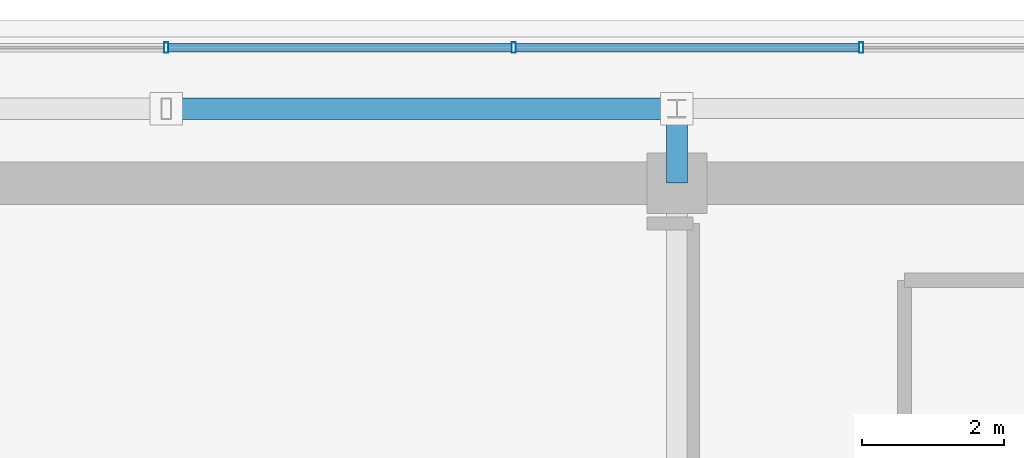
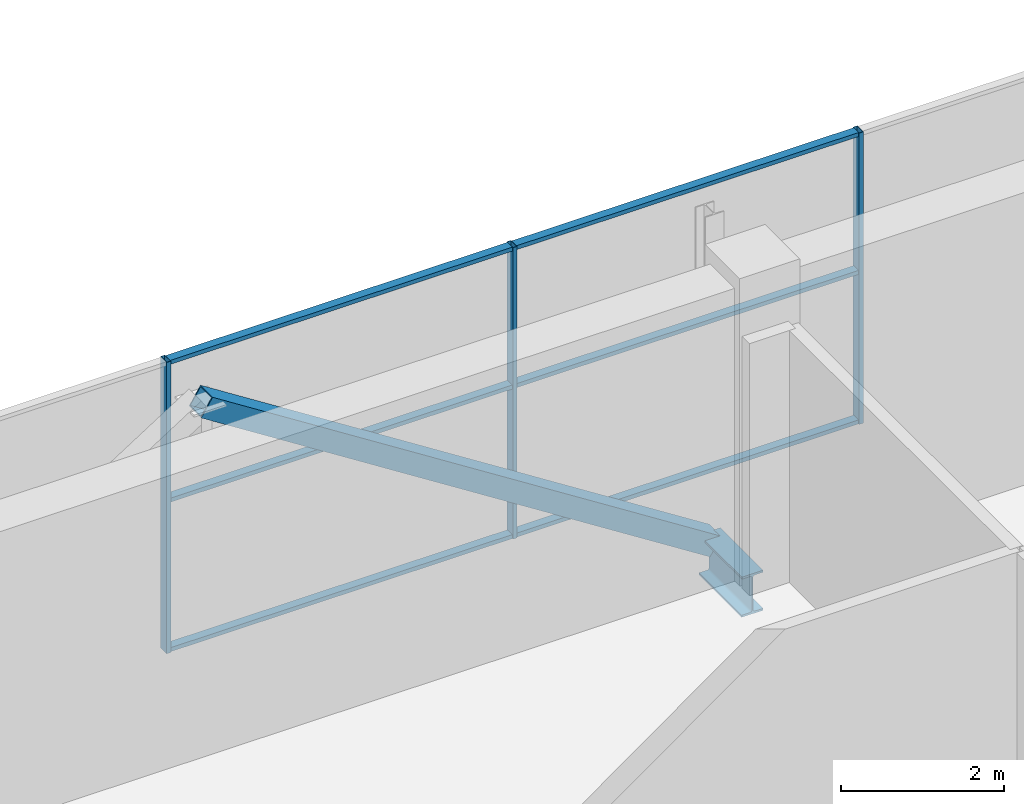
# One storey, part 17 of 27: 10 members, 1 beam, 1 element without a shape of its own.
"""IFC4 building model written with IfcOpenShell, lengths in metres."""

from ifc_helpers import new_model, si_unit, direction, frame, origin, origin_2d, place, context, subcontext, project, spatial, hollow_rectangle, i_section, extrude, source, transform, mapped, material, layer, layer_set, material_profile, profile_set, type_object, element, aggregate, save


model = new_model("IFC4")

# Units and contexts
model_context = context("Model", 3, precision=1e-05, world=origin(), true_north=direction((0.0, 1.0)))
body_context = subcontext(model_context, "Body", "Model", "MODEL_VIEW")
ifc_project = project(units=[si_unit("LENGTHUNIT", "METRE"), si_unit("AREAUNIT", "SQUARE_METRE"), si_unit("VOLUMEUNIT", "CUBIC_METRE"), si_unit("PLANEANGLEUNIT", "RADIAN"), si_unit("MASSUNIT", "GRAM", prefix="KILO")], contexts=[model_context])

# Site, building, storey
site_placement = place(None, origin())
site = spatial("IfcSite", under=ifc_project, at=site_placement, CompositionType="ELEMENT")
building_placement = place(site_placement, origin())
building = spatial("IfcBuilding", under=site, at=building_placement, Name="Zarnakvel Exchange Tower", CompositionType="ELEMENT")
storey_placement = place(building_placement, frame((0.0, 0.0, 294.60009765625)))
storey = spatial("IfcBuildingStorey", under=building, at=storey_placement, Name="Crown L82", CompositionType="ELEMENT", Elevation=294.60009765625)

# Beam
ifc_material_1 = material(Name="Steel S355", Category="steel")
ifc_material_profile_1 = material_profile(ifc_material_1, i_section(OverallWidth=0.300048828125, OverallDepth=0.60009765625, WebThickness=0.015380859375, FlangeThickness=0.030029296875, FilletRadius=0.027099609375, at=origin_2d()))
ifc_profile_set_1 = profile_set([ifc_material_profile_1], Name="Steel S355")
beam_type = type_object("IfcBeamType", Name="G-04", PredefinedType="BEAM", material=ifc_profile_set_1)
beam_placement = place(storey_placement, frame((7.199951171875, 13.5, -0.52001953125), z_axis=(0.0, 1.0, 0.0), x_axis=(-1.0, 0.0, 0.0)))
element("IfcBeam", 1, at=beam_placement, inside=storey, type_object=beam_type, Name="Crown L82 Tower N-S Frame Beam", PredefinedType="BEAM", context=body_context, shape_type="SweptSolid", body=[
    extrude(i_section(OverallWidth=0.300048828125, OverallDepth=0.60009765625, WebThickness=0.015380859375, FlangeThickness=0.030029296875, FilletRadius=0.027099609375, at=origin_2d()), origin(), (0.0, 0.0, 1.0), 1.050048828125),
])

# Member
ifc_material_profile_2 = material_profile(ifc_material_1, hollow_rectangle(XDim=0.300048828125, YDim=0.300048828125, WallThickness=0.01611328125, at=origin_2d()))
ifc_profile_set_2 = profile_set([ifc_material_profile_2], Name="Steel S355")
member_type_1 = type_object("IfcMemberType", Name="CB-BR2", PredefinedType="BRACE", material=ifc_profile_set_2)
shared_shape_1 = source(origin(), body_context, "Body", "SweptSolid", [
    extrude(hollow_rectangle(XDim=0.300048828125, YDim=0.300048828125, WallThickness=0.01611328125, at=origin_2d()), origin(), (0.0, 0.0, 1.0), 8.5439453125),
])
member_1_placement = place(storey_placement, frame((7.199951171875, 14.550048828125, -0.360107421875), z_axis=(-0.842689417531, 0.0, 0.53839998661), x_axis=(0.0, -1.0, 0.0)))
element("IfcMember", 2, at=member_1_placement, inside=storey, type_object=member_type_1, Name="Crown L82 Crown Chevron Brace R (CB-BR2)", PredefinedType="BRACE", context=body_context, shape_type="MappedRepresentation", body=[
    mapped(shared_shape_1, transform((0.0, 0.0, 0.0), x_axis=(1.0, 0.0, 0.0), y_axis=(0.0, 1.0, 0.0), z_axis=(0.0, 0.0, 1.0), scale=1.0)),
])

# Curtain wall, members
ifc_material_2 = material(Name="Architectural Bronze Anodised Aluminium", Category="aluminium")
ifc_layer = layer(ifc_material_2, 0.14990234375)
ifc_layer_set = layer_set([ifc_layer], Name="Architectural Bronze Anodised Aluminium")
curtain_wall_type = type_object("IfcCurtainWallType", Name="CW-07", PredefinedType="NOTDEFINED", material=ifc_layer_set)
curtain_wall_placement = place(storey_placement, origin())
curtain_wall = element("IfcCurtainWall", 3, at=curtain_wall_placement, inside=storey, type_object=curtain_wall_type, Name="Crown L82 Curtain Wall CW-Crown L82-N (CW-07)", PredefinedType="NOTDEFINED")
ifc_material_profile_3 = material_profile(ifc_material_2, hollow_rectangle(XDim=0.14990234375, YDim=0.06005859375, WallThickness=0.00390625, at=origin_2d()))
ifc_profile_set_3 = profile_set([ifc_material_profile_3], Name="Architectural Bronze Anodised Aluminium")
member_type_2 = type_object("IfcMemberType", Name="CWM-07", PredefinedType="MULLION", material=ifc_profile_set_3)
shared_shape_2 = source(origin(), body_context, "Body", "SweptSolid", [
    extrude(hollow_rectangle(XDim=0.14990234375, YDim=0.06005859375, WallThickness=0.00390625, at=origin_2d()), origin(), (0.0, 0.0, 1.0), 4.35986328125),
])
member_2_placement = place(storey_placement, frame((0.0, 15.409912109375, 0.0), z_axis=(0.0, 0.0, 1.0), x_axis=(0.0, 1.0, 0.0)))
member_2 = element("IfcMember", 4, at=member_2_placement, type_object=member_type_2, Name="CW-07 mullion 4", PredefinedType="MULLION", context=body_context, shape_type="MappedRepresentation", body=[
    mapped(shared_shape_2, transform((0.0, 0.0, 0.0), x_axis=(1.0, 0.0, 0.0), y_axis=(0.0, 1.0, 0.0), z_axis=(0.0, 0.0, 1.0), scale=1.0)),
])
member_3_placement = place(storey_placement, frame((4.89990234375, 15.409912109375, 0.0), z_axis=(0.0, 0.0, 1.0), x_axis=(0.0, 1.0, 0.0)))
member_3 = element("IfcMember", 5, at=member_3_placement, type_object=member_type_2, Name="CW-07 mullion 5", PredefinedType="MULLION", context=body_context, shape_type="MappedRepresentation", body=[
    mapped(shared_shape_2, transform((0.0, 0.0, 0.0), x_axis=(1.0, 0.0, 0.0), y_axis=(0.0, 1.0, 0.0), z_axis=(0.0, 0.0, 1.0), scale=1.0)),
])
member_4_placement = place(storey_placement, frame((9.800048828125, 15.409912109375, 0.0), z_axis=(0.0, 0.0, 1.0), x_axis=(0.0, 1.0, 0.0)))
member_4 = element("IfcMember", 6, at=member_4_placement, type_object=member_type_2, Name="CW-07 mullion 6", PredefinedType="MULLION", context=body_context, shape_type="MappedRepresentation", body=[
    mapped(shared_shape_2, transform((0.0, 0.0, 0.0), x_axis=(1.0, 0.0, 0.0), y_axis=(0.0, 1.0, 0.0), z_axis=(0.0, 0.0, 1.0), scale=1.0)),
])
ifc_material_profile_4 = material_profile(ifc_material_2, hollow_rectangle(XDim=0.1201171875, YDim=0.06005859375, WallThickness=0.00390625, at=origin_2d()))
ifc_profile_set_4 = profile_set([ifc_material_profile_4], Name="Architectural Bronze Anodised Aluminium")
member_type_3 = type_object("IfcMemberType", Name="CWT-07", PredefinedType="USERDEFINED", material=ifc_profile_set_4)
shared_shape_3 = source(origin(), body_context, "Body", "SweptSolid", [
    extrude(hollow_rectangle(XDim=0.1201171875, YDim=0.06005859375, WallThickness=0.00390625, at=origin_2d()), origin(), (0.0, 0.0, 1.0), 4.840087890625),
])
member_5_placement = place(storey_placement, frame((0.030029296875, 15.409912109375, 0.02978515625), z_axis=(1.0, 0.0, 0.0), x_axis=(0.0, 1.0, 0.0)))
member_5 = element("IfcMember", 7, at=member_5_placement, type_object=member_type_3, Name="CW-07 transom 4.1", ObjectType="TRANSOM", PredefinedType="USERDEFINED", context=body_context, shape_type="MappedRepresentation", body=[
    mapped(shared_shape_3, transform((0.0, 0.0, 0.0), x_axis=(1.0, 0.0, 0.0), y_axis=(0.0, 1.0, 0.0), z_axis=(0.0, 0.0, 1.0), scale=1.0)),
])
member_6_placement = place(storey_placement, frame((0.030029296875, 15.409912109375, 2.26708984375), z_axis=(1.0, 0.0, 0.0), x_axis=(0.0, 1.0, 0.0)))
member_6 = element("IfcMember", 8, at=member_6_placement, type_object=member_type_3, Name="CW-07 transom 4.2", ObjectType="TRANSOM", PredefinedType="USERDEFINED", context=body_context, shape_type="MappedRepresentation", body=[
    mapped(shared_shape_3, transform((0.0, 0.0, 0.0), x_axis=(1.0, 0.0, 0.0), y_axis=(0.0, 1.0, 0.0), z_axis=(0.0, 0.0, 1.0), scale=1.0)),
])
member_7_placement = place(storey_placement, frame((0.030029296875, 15.409912109375, 4.329833984375), z_axis=(1.0, 0.0, 0.0), x_axis=(0.0, 1.0, 0.0)))
member_7 = element("IfcMember", 9, at=member_7_placement, type_object=member_type_3, Name="CW-07 transom 4.3", ObjectType="TRANSOM", PredefinedType="USERDEFINED", context=body_context, shape_type="MappedRepresentation", body=[
    mapped(shared_shape_3, transform((0.0, 0.0, 0.0), x_axis=(1.0, 0.0, 0.0), y_axis=(0.0, 1.0, 0.0), z_axis=(0.0, 0.0, 1.0), scale=1.0)),
])
member_8_placement = place(storey_placement, frame((4.929931640625, 15.409912109375, 0.02978515625), z_axis=(1.0, 0.0, 0.0), x_axis=(0.0, 1.0, 0.0)))
member_8 = element("IfcMember", 10, at=member_8_placement, type_object=member_type_3, Name="CW-07 transom 5.1", ObjectType="TRANSOM", PredefinedType="USERDEFINED", context=body_context, shape_type="MappedRepresentation", body=[
    mapped(shared_shape_3, transform((0.0, 0.0, 0.0), x_axis=(1.0, 0.0, 0.0), y_axis=(0.0, 1.0, 0.0), z_axis=(0.0, 0.0, 1.0), scale=1.0)),
])
member_9_placement = place(storey_placement, frame((4.929931640625, 15.409912109375, 2.26708984375), z_axis=(1.0, 0.0, 0.0), x_axis=(0.0, 1.0, 0.0)))
member_9 = element("IfcMember", 11, at=member_9_placement, type_object=member_type_3, Name="CW-07 transom 5.2", ObjectType="TRANSOM", PredefinedType="USERDEFINED", context=body_context, shape_type="MappedRepresentation", body=[
    mapped(shared_shape_3, transform((0.0, 0.0, 0.0), x_axis=(1.0, 0.0, 0.0), y_axis=(0.0, 1.0, 0.0), z_axis=(0.0, 0.0, 1.0), scale=1.0)),
])
member_10_placement = place(storey_placement, frame((4.929931640625, 15.409912109375, 4.329833984375), z_axis=(1.0, 0.0, 0.0), x_axis=(0.0, 1.0, 0.0)))
member_10 = element("IfcMember", 12, at=member_10_placement, type_object=member_type_3, Name="CW-07 transom 5.3", ObjectType="TRANSOM", PredefinedType="USERDEFINED", context=body_context, shape_type="MappedRepresentation", body=[
    mapped(shared_shape_3, transform((0.0, 0.0, 0.0), x_axis=(1.0, 0.0, 0.0), y_axis=(0.0, 1.0, 0.0), z_axis=(0.0, 0.0, 1.0), scale=1.0)),
])
aggregate(curtain_wall, [member_2, member_3, member_4, member_5, member_6, member_7, member_8, member_9, member_10])

save(model, "model.ifc")
